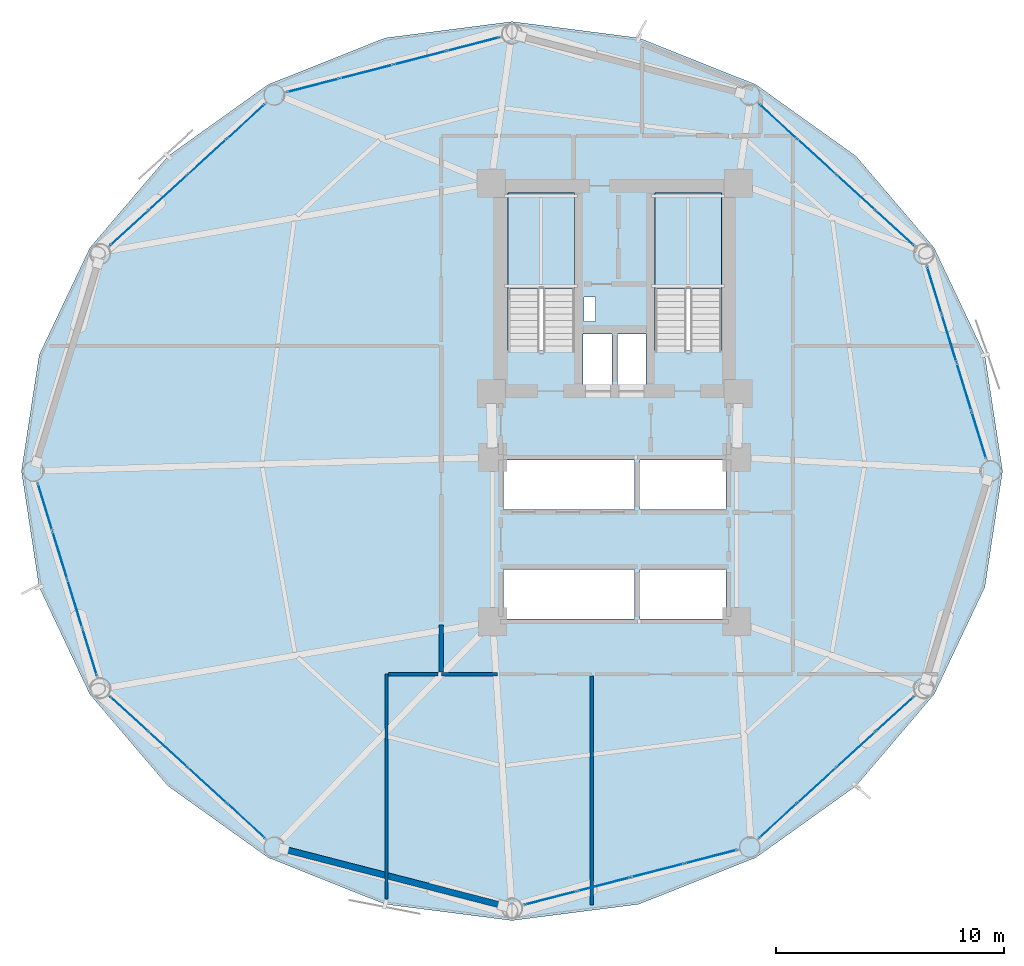
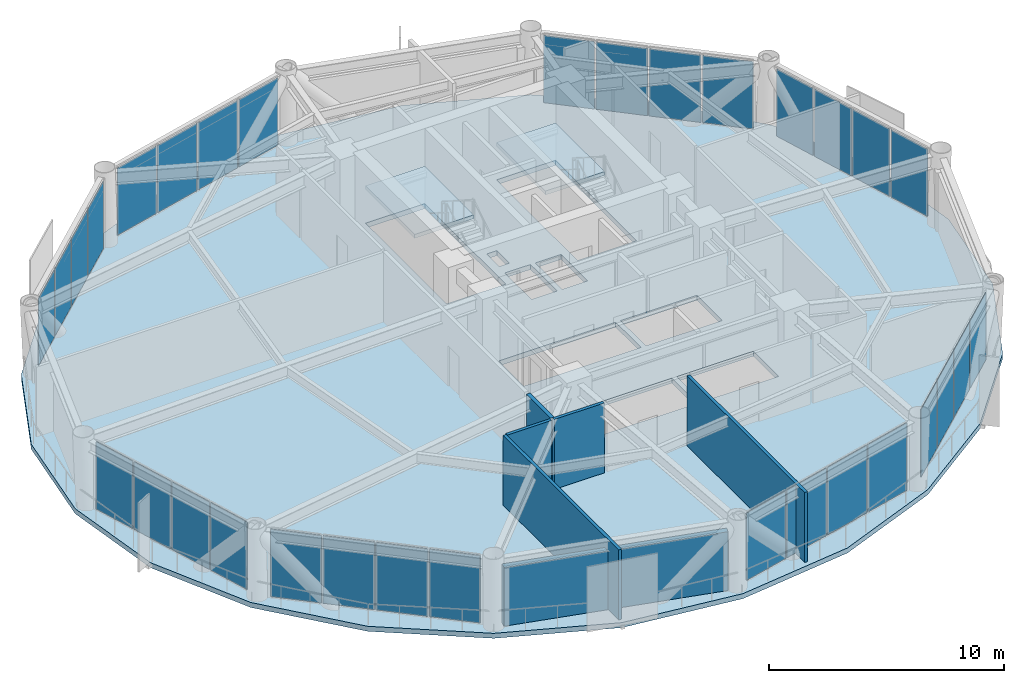
# One storey, part 21 of 26: 32 plates, 6 walls, 3 slabs, 10 elements without a shape of their own.
"""IFC4 building model written with IfcOpenShell, lengths in metres."""

from ifc_helpers import new_model, si_unit, direction, frame, frame_2d, origin, origin_2d, place, context, subcontext, project, spatial, polyline, rectangle, outline, extrude, source, transform, mapped, material, layer, layer_set, type_object, type_shapes, element, aggregate, save


model = new_model("IFC4")

# Units and contexts
model_context = context("Model", 3, precision=1e-05, world=origin(), true_north=direction((0.0, 1.0)))
body_context = subcontext(model_context, "Body", "Model", "MODEL_VIEW")
ifc_project = project(units=[si_unit("LENGTHUNIT", "METRE"), si_unit("AREAUNIT", "SQUARE_METRE"), si_unit("VOLUMEUNIT", "CUBIC_METRE"), si_unit("PLANEANGLEUNIT", "RADIAN"), si_unit("MASSUNIT", "GRAM", prefix="KILO")], contexts=[model_context])

# Site, building, storey
site_placement = place(None, origin())
site = spatial("IfcSite", under=ifc_project, at=site_placement, CompositionType="ELEMENT")
building_placement = place(site_placement, origin())
building = spatial("IfcBuilding", under=site, at=building_placement, Name="Varnakorn Sky Granary", CompositionType="ELEMENT")
storey_placement = place(building_placement, frame((0.0, 0.0, 47.10009765625)))
storey = spatial("IfcBuildingStorey", under=building, at=storey_placement, Name="L11", CompositionType="ELEMENT", Elevation=47.10009765625)

# Stair, slab
ifc_material_1 = material(Name="Concrete C40/50", Category="concrete")
stair_type = type_object("IfcStairType", Name="ST-MAIN-ASSEMBLY", PredefinedType="HALF_TURN_STAIR", material=ifc_material_1)
stair_1_placement = place(storey_placement, origin())
stair_1 = element("IfcStair", 1, at=stair_1_placement, inside=storey, type_object=stair_type, Name="L11 Protected Exit Stair ST-1", PredefinedType="HALF_TURN_STAIR")
ifc_layer_1 = layer(ifc_material_1, 0.199951171875, Name="Concrete C40/50")
ifc_layer_set_1 = layer_set([ifc_layer_1], Name="Concrete C40/50")
slab_type_1 = type_object("IfcSlabType", Name="ST-MAIN-LAND", PredefinedType="LANDING", material=ifc_layer_set_1)
slab_1_placement = place(storey_placement, frame((0.0, 0.0, 1.75)))
slab_1 = element("IfcSlab", 2, at=slab_1_placement, type_object=slab_type_1, Name="ST-1 landing 1", PredefinedType="LANDING", context=body_context, shape_type="SweptSolid", body=[
    extrude(outline(polyline([(1.239990234375, 8.0), (1.239990234375, 12.179931640625), (-1.669921875, 12.179931640625), (-1.669921875, 8.0), (1.239990234375, 8.0)])), origin(), (0.0, 0.0, 1.0), 0.199951171875),
])
aggregate(stair_1, [slab_1])

stair_2_placement = place(storey_placement, origin())
stair_2 = element("IfcStair", 3, at=stair_2_placement, inside=storey, type_object=stair_type, Name="L11 Protected Exit Stair ST-2", PredefinedType="HALF_TURN_STAIR")
slab_2_placement = place(storey_placement, frame((0.0, 0.0, 1.75)))
slab_2 = element("IfcSlab", 4, at=slab_2_placement, type_object=slab_type_1, Name="ST-2 landing 1", PredefinedType="LANDING", context=body_context, shape_type="SweptSolid", body=[
    extrude(outline(polyline([(7.679931640625, 8.0), (7.679931640625, 12.179931640625), (4.77001953125, 12.179931640625), (4.77001953125, 8.0), (7.679931640625, 8.0)])), origin(), (0.0, 0.0, 1.0), 0.199951171875),
])
aggregate(stair_2, [slab_2])

# Slab
ifc_material_2 = material(Name="Concrete C50/60", Category="concrete")
ifc_layer_2 = layer(ifc_material_2, 0.260009765625, Name="Concrete C50/60")
ifc_layer_set_2 = layer_set([ifc_layer_2], Name="Concrete C50/60")
slab_type_2 = type_object("IfcSlabType", Name="ST-SL-TWR-260", PredefinedType="FLOOR", material=ifc_layer_set_2)
slab_3_placement = place(storey_placement, frame((0.0, 0.0, -0.260009765625)))
element("IfcSlab", 5, at=slab_3_placement, inside=storey, type_object=slab_type_2, Name="Level L11 Structural Floor Slab", PredefinedType="FLOOR", context=body_context, shape_type="SweptSolid", body=[
    extrude(outline(polyline([(20.0, 0.0), (19.223876953125, 5.087158203125), (17.002685546875, 9.782470703125), (13.575439453125, 13.802734375), (9.1826171875, 16.94384765625), (4.052978515625, 18.9853515625), (-1.5, 19.699951171875), (-7.052978515625, 18.9853515625), (-12.1826171875, 16.94384765625), (-16.575439453125, 13.802734375), (-20.002685546875, 9.782470703125), (-22.223876953125, 5.087158203125), (-23.0, 0.0), (-22.223876953125, -5.087158203125), (-20.002685546875, -9.782470703125), (-16.575439453125, -13.802734375), (-12.1826171875, -16.94384765625), (-7.052978515625, -18.9853515625), (-1.5, -19.699951171875), (4.052978515625, -18.9853515625), (9.1826171875, -16.94384765625), (13.575439453125, -13.802734375), (17.002685546875, -9.782470703125), (19.223876953125, -5.087158203125), (20.0, 0.0)]), holes=[polyline([(1.239990234375, 5.27490234375), (1.239990234375, 12.179931640625), (-1.669921875, 12.179931640625), (-1.669921875, 5.27490234375), (1.239990234375, 5.27490234375)]), polyline([(7.679931640625, 5.27490234375), (7.679931640625, 12.179931640625), (4.77001953125, 12.179931640625), (4.77001953125, 5.27490234375), (7.679931640625, 5.27490234375)]), polyline([(1.659912109375, 6.550048828125), (2.14990234375, 6.550048828125), (2.14990234375, 7.6201171875), (1.659912109375, 7.6201171875), (1.659912109375, 6.550048828125)]), polyline([(1.6201171875, 3.739990234375), (2.8798828125, 3.739990234375), (2.8798828125, 6.010009765625), (1.6201171875, 6.010009765625), (1.6201171875, 3.739990234375)]), polyline([(3.1201171875, 3.739990234375), (4.3798828125, 3.739990234375), (4.3798828125, 6.010009765625), (3.1201171875, 6.010009765625), (3.1201171875, 3.739990234375)]), polyline([(-1.8798828125, -1.679931640625), (3.8798828125, -1.679931640625), (3.8798828125, 0.47998046875), (-1.8798828125, 0.47998046875), (-1.8798828125, -1.679931640625)]), polyline([(4.1201171875, -1.679931640625), (7.8798828125, -1.679931640625), (7.8798828125, 0.47998046875), (4.1201171875, 0.47998046875), (4.1201171875, -1.679931640625)]), polyline([(-1.8798828125, -6.47998046875), (3.8798828125, -6.47998046875), (3.8798828125, -4.320068359375), (-1.8798828125, -4.320068359375), (-1.8798828125, -6.47998046875)]), polyline([(4.1201171875, -6.47998046875), (7.8798828125, -6.47998046875), (7.8798828125, -4.320068359375), (4.1201171875, -4.320068359375), (4.1201171875, -6.47998046875)])]), origin(), (0.0, 0.0, 1.0), 0.260009765625),
])

# Curtain wall, plates
ifc_material_3 = material(Name="Anodised Bronze Aluminium Alloy 6063-T6", Category="aluminium")
ifc_layer_3 = layer(ifc_material_3, 0.18994140625, Name="Anodised Bronze Aluminium Alloy 6063-T6")
ifc_layer_set_3 = layer_set([ifc_layer_3], Name="Anodised Bronze Aluminium Alloy 6063-T6")
curtain_wall_type = type_object("IfcCurtainWallType", Name="CW-FRM-1", PredefinedType="USERDEFINED", material=ifc_layer_set_3)
curtain_wall_1_placement = place(storey_placement, origin())
curtain_wall_1 = element("IfcCurtainWall", 6, at=curtain_wall_1_placement, inside=storey, type_object=curtain_wall_type, Name="Unitised Curtain Wall CW3 CW-L11-B01", ObjectType="CURTAIN WALL", PredefinedType="USERDEFINED")
ifc_material_4 = material(Name="Opaque Insulated Aluminium Shadow-Box Unit", Category="aluminium")
ifc_layer_4 = layer(ifc_material_4, 0.028076171875, Name="Opaque Insulated Aluminium Shadow-Box Unit")
ifc_layer_set_4 = layer_set([ifc_layer_4], Name="Opaque Insulated Aluminium Shadow-Box Unit")
plate_type = type_object("IfcPlateType", Name="CW-FRM-1-PNL", PredefinedType="CURTAIN_PANEL")
shared_shape_1 = source(origin(), body_context, "Body", "SweptSolid", [
    extrude(rectangle(XDim=2.123291015625, YDim=0.028076171875, at=origin_2d()), origin(), (0.0, 0.0, 1.0), 3.5),
])
plate_1_placement = place(storey_placement, frame((17.010986328125, 7.931640625, 0.06982421875), z_axis=(0.0, 0.0, 1.0), x_axis=(0.293925795403, -0.955828241263, 0.0)))
plate_1 = element("IfcPlate", 7, at=plate_1_placement, type_object=plate_type, material=ifc_layer_set_4, Name="CW3 opaque insulated shadow-box unit 1.1", PredefinedType="CURTAIN_PANEL", context=body_context, shape_type="MappedRepresentation", body=[
    mapped(shared_shape_1, transform((0.0, 0.0, 0.0), x_axis=(1.0, 0.0, 0.0), y_axis=(0.0, 1.0, 0.0), z_axis=(0.0, 0.0, 1.0), scale=1.0)),
])
ifc_material_5 = material(Name="Low-E Tinted Laminated Glass", Category="glass")
ifc_layer_5 = layer(ifc_material_5, 0.028076171875, Name="Low-E Tinted Laminated Glass")
ifc_layer_set_5 = layer_set([ifc_layer_5], Name="Low-E Tinted Laminated Glass")
plate_2_placement = place(storey_placement, frame((18.96533203125, 1.575927734375, 0.06982421875), z_axis=(0.0, 0.0, 1.0), x_axis=(0.293925795403, -0.955828241263, 0.0)))
plate_2 = element("IfcPlate", 8, at=plate_2_placement, type_object=plate_type, material=ifc_layer_set_5, Name="CW3 vision glazing unit 4.1", PredefinedType="CURTAIN_PANEL", context=body_context, shape_type="MappedRepresentation", body=[
    mapped(shared_shape_1, transform((0.0, 0.0, 0.0), x_axis=(1.0, 0.0, 0.0), y_axis=(0.0, 1.0, 0.0), z_axis=(0.0, 0.0, 1.0), scale=1.0)),
])

curtain_wall_2_placement = place(storey_placement, origin())
curtain_wall_2 = element("IfcCurtainWall", 9, at=curtain_wall_2_placement, inside=storey, type_object=curtain_wall_type, Name="Unitised Curtain Wall CW3 CW-L11-B07", ObjectType="CURTAIN WALL", PredefinedType="USERDEFINED")
plate_3_placement = place(storey_placement, frame((-20.010986328125, -7.931640625, 0.06982421875), z_axis=(0.0, 0.0, 1.0), x_axis=(-0.293925795403, 0.955828241263, 0.0)))
plate_3 = element("IfcPlate", 10, at=plate_3_placement, type_object=plate_type, material=ifc_layer_set_4, Name="CW3 opaque insulated shadow-box unit 1.1", PredefinedType="CURTAIN_PANEL", context=body_context, shape_type="MappedRepresentation", body=[
    mapped(shared_shape_1, transform((0.0, 0.0, 0.0), x_axis=(1.0, 0.0, 0.0), y_axis=(0.0, 1.0, 0.0), z_axis=(0.0, 0.0, 1.0), scale=1.0)),
])
plate_4_placement = place(storey_placement, frame((-21.96533203125, -1.575927734375, 0.06982421875), z_axis=(0.0, 0.0, 1.0), x_axis=(-0.293925795403, 0.955828241263, 0.0)))
plate_4 = element("IfcPlate", 11, at=plate_4_placement, type_object=plate_type, material=ifc_layer_set_5, Name="CW3 vision glazing unit 4.1", PredefinedType="CURTAIN_PANEL", context=body_context, shape_type="MappedRepresentation", body=[
    mapped(shared_shape_1, transform((0.0, 0.0, 0.0), x_axis=(1.0, 0.0, 0.0), y_axis=(0.0, 1.0, 0.0), z_axis=(0.0, 0.0, 1.0), scale=1.0)),
])

# Plate
shared_shape_2 = source(origin(), body_context, "Body", "SweptSolid", [
    extrude(rectangle(XDim=2.158203125, YDim=0.028076171875, at=origin_2d()), origin(), (0.0, 0.0, 1.0), 3.5),
])
plate_5_placement = place(storey_placement, frame((17.66064453125, 5.818603515625, 0.06982421875), z_axis=(0.0, 0.0, 1.0), x_axis=(0.293925795403, -0.955828241263, 0.0)))
plate_5 = element("IfcPlate", 12, at=plate_5_placement, type_object=plate_type, material=ifc_layer_set_4, Name="CW3 opaque insulated shadow-box unit 2.1", PredefinedType="CURTAIN_PANEL", context=body_context, shape_type="MappedRepresentation", body=[
    mapped(shared_shape_2, transform((0.0, 0.0, 0.0), x_axis=(1.0, 0.0, 0.0), y_axis=(0.0, 1.0, 0.0), z_axis=(0.0, 0.0, 1.0), scale=1.0)),
])

plate_6_placement = place(storey_placement, frame((18.315673828125, 3.68896484375, 0.06982421875), z_axis=(0.0, 0.0, 1.0), x_axis=(0.293925795403, -0.955828241263, 0.0)))
plate_6 = element("IfcPlate", 13, at=plate_6_placement, type_object=plate_type, material=ifc_layer_set_5, Name="CW3 vision glazing unit 3.1", PredefinedType="CURTAIN_PANEL", context=body_context, shape_type="MappedRepresentation", body=[
    mapped(shared_shape_2, transform((0.0, 0.0, 0.0), x_axis=(1.0, 0.0, 0.0), y_axis=(0.0, 1.0, 0.0), z_axis=(0.0, 0.0, 1.0), scale=1.0)),
])

aggregate(curtain_wall_1, [plate_1, plate_5, plate_6, plate_2])

plate_7_placement = place(storey_placement, frame((-20.66064453125, -5.818603515625, 0.06982421875), z_axis=(0.0, 0.0, 1.0), x_axis=(-0.293925795403, 0.955828241263, 0.0)))
plate_7 = element("IfcPlate", 14, at=plate_7_placement, type_object=plate_type, material=ifc_layer_set_4, Name="CW3 opaque insulated shadow-box unit 2.1", PredefinedType="CURTAIN_PANEL", context=body_context, shape_type="MappedRepresentation", body=[
    mapped(shared_shape_2, transform((0.0, 0.0, 0.0), x_axis=(1.0, 0.0, 0.0), y_axis=(0.0, 1.0, 0.0), z_axis=(0.0, 0.0, 1.0), scale=1.0)),
])

plate_8_placement = place(storey_placement, frame((-21.315673828125, -3.68896484375, 0.06982421875), z_axis=(0.0, 0.0, 1.0), x_axis=(-0.293925795403, 0.955828241263, 0.0)))
plate_8 = element("IfcPlate", 15, at=plate_8_placement, type_object=plate_type, material=ifc_layer_set_5, Name="CW3 vision glazing unit 3.1", PredefinedType="CURTAIN_PANEL", context=body_context, shape_type="MappedRepresentation", body=[
    mapped(shared_shape_2, transform((0.0, 0.0, 0.0), x_axis=(1.0, 0.0, 0.0), y_axis=(0.0, 1.0, 0.0), z_axis=(0.0, 0.0, 1.0), scale=1.0)),
])

aggregate(curtain_wall_2, [plate_3, plate_7, plate_8, plate_4])

# Curtain wall, plates
curtain_wall_3_placement = place(storey_placement, origin())
curtain_wall_3 = element("IfcCurtainWall", 16, at=curtain_wall_3_placement, inside=storey, type_object=curtain_wall_type, Name="Unitised Curtain Wall CW3 CW-L11-B02", ObjectType="CURTAIN WALL", PredefinedType="USERDEFINED")
shared_shape_3 = source(origin(), body_context, "Body", "SweptSolid", [
    extrude(rectangle(XDim=2.21630859375, YDim=0.028076171875, at=origin_2d()), origin(), (0.0, 0.0, 1.0), 3.5),
])
plate_9_placement = place(storey_placement, frame((10.158935546875, 15.32421875, 0.06982421875), z_axis=(0.0, 0.0, 1.0), x_axis=(0.738307334777, -0.674464438954, 0.0)))
plate_9 = element("IfcPlate", 17, at=plate_9_placement, type_object=plate_type, material=ifc_layer_set_5, Name="CW3 vision glazing unit 1.1", PredefinedType="CURTAIN_PANEL", context=body_context, shape_type="MappedRepresentation", body=[
    mapped(shared_shape_3, transform((0.0, 0.0, 0.0), x_axis=(1.0, 0.0, 0.0), y_axis=(0.0, 1.0, 0.0), z_axis=(0.0, 0.0, 1.0), scale=1.0)),
])
plate_10_placement = place(storey_placement, frame((15.274658203125, 10.65087890625, 0.06982421875), z_axis=(0.0, 0.0, 1.0), x_axis=(0.738307334777, -0.674464438954, 0.0)))
plate_10 = element("IfcPlate", 18, at=plate_10_placement, type_object=plate_type, material=ifc_layer_set_4, Name="CW3 opaque insulated shadow-box unit 4.1", PredefinedType="CURTAIN_PANEL", context=body_context, shape_type="MappedRepresentation", body=[
    mapped(shared_shape_3, transform((0.0, 0.0, 0.0), x_axis=(1.0, 0.0, 0.0), y_axis=(0.0, 1.0, 0.0), z_axis=(0.0, 0.0, 1.0), scale=1.0)),
])

curtain_wall_4_placement = place(storey_placement, origin())
curtain_wall_4 = element("IfcCurtainWall", 19, at=curtain_wall_4_placement, inside=storey, type_object=curtain_wall_type, Name="Unitised Curtain Wall CW3 CW-L11-B05", ObjectType="CURTAIN WALL", PredefinedType="USERDEFINED")
plate_11_placement = place(storey_placement, frame((-18.274658203125, 10.65087890625, 0.06982421875), z_axis=(0.0, 0.0, 1.0), x_axis=(0.738307334777, 0.674464438954, 0.0)))
plate_11 = element("IfcPlate", 20, at=plate_11_placement, type_object=plate_type, material=ifc_layer_set_4, Name="CW3 opaque insulated shadow-box unit 1.1", PredefinedType="CURTAIN_PANEL", context=body_context, shape_type="MappedRepresentation", body=[
    mapped(shared_shape_3, transform((0.0, 0.0, 0.0), x_axis=(1.0, 0.0, 0.0), y_axis=(0.0, 1.0, 0.0), z_axis=(0.0, 0.0, 1.0), scale=1.0)),
])
plate_12_placement = place(storey_placement, frame((-13.158935546875, 15.32421875, 0.06982421875), z_axis=(0.0, 0.0, 1.0), x_axis=(0.738307334777, 0.674464438954, 0.0)))
plate_12 = element("IfcPlate", 21, at=plate_12_placement, type_object=plate_type, material=ifc_layer_set_5, Name="CW3 vision glazing unit 4.1", PredefinedType="CURTAIN_PANEL", context=body_context, shape_type="MappedRepresentation", body=[
    mapped(shared_shape_3, transform((0.0, 0.0, 0.0), x_axis=(1.0, 0.0, 0.0), y_axis=(0.0, 1.0, 0.0), z_axis=(0.0, 0.0, 1.0), scale=1.0)),
])

curtain_wall_5_placement = place(storey_placement, origin())
curtain_wall_5 = element("IfcCurtainWall", 22, at=curtain_wall_5_placement, inside=storey, type_object=curtain_wall_type, Name="Unitised Curtain Wall CW3 CW-L11-B08", ObjectType="CURTAIN WALL", PredefinedType="USERDEFINED")
plate_13_placement = place(storey_placement, frame((-13.158935546875, -15.32421875, 0.06982421875), z_axis=(0.0, 0.0, 1.0), x_axis=(-0.738307334777, 0.674464438954, 0.0)))
plate_13 = element("IfcPlate", 23, at=plate_13_placement, type_object=plate_type, material=ifc_layer_set_5, Name="CW3 vision glazing unit 1.1", PredefinedType="CURTAIN_PANEL", context=body_context, shape_type="MappedRepresentation", body=[
    mapped(shared_shape_3, transform((0.0, 0.0, 0.0), x_axis=(1.0, 0.0, 0.0), y_axis=(0.0, 1.0, 0.0), z_axis=(0.0, 0.0, 1.0), scale=1.0)),
])
plate_14_placement = place(storey_placement, frame((-18.274658203125, -10.65087890625, 0.06982421875), z_axis=(0.0, 0.0, 1.0), x_axis=(-0.738307334777, 0.674464438954, 0.0)))
plate_14 = element("IfcPlate", 24, at=plate_14_placement, type_object=plate_type, material=ifc_layer_set_4, Name="CW3 opaque insulated shadow-box unit 4.1", PredefinedType="CURTAIN_PANEL", context=body_context, shape_type="MappedRepresentation", body=[
    mapped(shared_shape_3, transform((0.0, 0.0, 0.0), x_axis=(1.0, 0.0, 0.0), y_axis=(0.0, 1.0, 0.0), z_axis=(0.0, 0.0, 1.0), scale=1.0)),
])

curtain_wall_6_placement = place(storey_placement, origin())
curtain_wall_6 = element("IfcCurtainWall", 25, at=curtain_wall_6_placement, inside=storey, type_object=curtain_wall_type, Name="Unitised Curtain Wall CW3 CW-L11-B11", ObjectType="CURTAIN WALL", PredefinedType="USERDEFINED")
plate_15_placement = place(storey_placement, frame((15.274658203125, -10.65087890625, 0.06982421875), z_axis=(0.0, 0.0, 1.0), x_axis=(-0.738307334777, -0.674464438954, 0.0)))
plate_15 = element("IfcPlate", 26, at=plate_15_placement, type_object=plate_type, material=ifc_layer_set_4, Name="CW3 opaque insulated shadow-box unit 1.1", PredefinedType="CURTAIN_PANEL", context=body_context, shape_type="MappedRepresentation", body=[
    mapped(shared_shape_3, transform((0.0, 0.0, 0.0), x_axis=(1.0, 0.0, 0.0), y_axis=(0.0, 1.0, 0.0), z_axis=(0.0, 0.0, 1.0), scale=1.0)),
])
plate_16_placement = place(storey_placement, frame((10.158935546875, -15.32421875, 0.06982421875), z_axis=(0.0, 0.0, 1.0), x_axis=(-0.738307334777, -0.674464438954, 0.0)))
plate_16 = element("IfcPlate", 27, at=plate_16_placement, type_object=plate_type, material=ifc_layer_set_5, Name="CW3 vision glazing unit 4.1", PredefinedType="CURTAIN_PANEL", context=body_context, shape_type="MappedRepresentation", body=[
    mapped(shared_shape_3, transform((0.0, 0.0, 0.0), x_axis=(1.0, 0.0, 0.0), y_axis=(0.0, 1.0, 0.0), z_axis=(0.0, 0.0, 1.0), scale=1.0)),
])

# Plate
shared_shape_4 = source(origin(), body_context, "Body", "SweptSolid", [
    extrude(rectangle(XDim=2.251220703125, YDim=0.028076171875, at=origin_2d()), origin(), (0.0, 0.0, 1.0), 3.5),
])
plate_17_placement = place(storey_placement, frame((11.85986328125, 13.770263671875, 0.06982421875), z_axis=(0.0, 0.0, 1.0), x_axis=(0.738307334777, -0.674464438954, 0.0)))
plate_17 = element("IfcPlate", 28, at=plate_17_placement, type_object=plate_type, material=ifc_layer_set_5, Name="CW3 vision glazing unit 2.1", PredefinedType="CURTAIN_PANEL", context=body_context, shape_type="MappedRepresentation", body=[
    mapped(shared_shape_4, transform((0.0, 0.0, 0.0), x_axis=(1.0, 0.0, 0.0), y_axis=(0.0, 1.0, 0.0), z_axis=(0.0, 0.0, 1.0), scale=1.0)),
])

plate_18_placement = place(storey_placement, frame((13.57373046875, 12.20458984375, 0.06982421875), z_axis=(0.0, 0.0, 1.0), x_axis=(0.738307334777, -0.674464438954, 0.0)))
plate_18 = element("IfcPlate", 29, at=plate_18_placement, type_object=plate_type, material=ifc_layer_set_4, Name="CW3 opaque insulated shadow-box unit 3.1", PredefinedType="CURTAIN_PANEL", context=body_context, shape_type="MappedRepresentation", body=[
    mapped(shared_shape_4, transform((0.0, 0.0, 0.0), x_axis=(1.0, 0.0, 0.0), y_axis=(0.0, 1.0, 0.0), z_axis=(0.0, 0.0, 1.0), scale=1.0)),
])

aggregate(curtain_wall_3, [plate_9, plate_17, plate_18, plate_10])

plate_19_placement = place(storey_placement, frame((-16.57373046875, 12.20458984375, 0.06982421875), z_axis=(0.0, 0.0, 1.0), x_axis=(0.738307334777, 0.674464438954, 0.0)))
plate_19 = element("IfcPlate", 30, at=plate_19_placement, type_object=plate_type, material=ifc_layer_set_4, Name="CW3 opaque insulated shadow-box unit 2.1", PredefinedType="CURTAIN_PANEL", context=body_context, shape_type="MappedRepresentation", body=[
    mapped(shared_shape_4, transform((0.0, 0.0, 0.0), x_axis=(1.0, 0.0, 0.0), y_axis=(0.0, 1.0, 0.0), z_axis=(0.0, 0.0, 1.0), scale=1.0)),
])

plate_20_placement = place(storey_placement, frame((-14.85986328125, 13.770263671875, 0.06982421875), z_axis=(0.0, 0.0, 1.0), x_axis=(0.738307334777, 0.674464438954, 0.0)))
plate_20 = element("IfcPlate", 31, at=plate_20_placement, type_object=plate_type, material=ifc_layer_set_5, Name="CW3 vision glazing unit 3.1", PredefinedType="CURTAIN_PANEL", context=body_context, shape_type="MappedRepresentation", body=[
    mapped(shared_shape_4, transform((0.0, 0.0, 0.0), x_axis=(1.0, 0.0, 0.0), y_axis=(0.0, 1.0, 0.0), z_axis=(0.0, 0.0, 1.0), scale=1.0)),
])

aggregate(curtain_wall_4, [plate_11, plate_19, plate_20, plate_12])

plate_21_placement = place(storey_placement, frame((-14.85986328125, -13.770263671875, 0.06982421875), z_axis=(0.0, 0.0, 1.0), x_axis=(-0.738307334777, 0.674464438954, 0.0)))
plate_21 = element("IfcPlate", 32, at=plate_21_placement, type_object=plate_type, material=ifc_layer_set_5, Name="CW3 vision glazing unit 2.1", PredefinedType="CURTAIN_PANEL", context=body_context, shape_type="MappedRepresentation", body=[
    mapped(shared_shape_4, transform((0.0, 0.0, 0.0), x_axis=(1.0, 0.0, 0.0), y_axis=(0.0, 1.0, 0.0), z_axis=(0.0, 0.0, 1.0), scale=1.0)),
])

plate_22_placement = place(storey_placement, frame((-16.57373046875, -12.20458984375, 0.06982421875), z_axis=(0.0, 0.0, 1.0), x_axis=(-0.738307334777, 0.674464438954, 0.0)))
plate_22 = element("IfcPlate", 33, at=plate_22_placement, type_object=plate_type, material=ifc_layer_set_4, Name="CW3 opaque insulated shadow-box unit 3.1", PredefinedType="CURTAIN_PANEL", context=body_context, shape_type="MappedRepresentation", body=[
    mapped(shared_shape_4, transform((0.0, 0.0, 0.0), x_axis=(1.0, 0.0, 0.0), y_axis=(0.0, 1.0, 0.0), z_axis=(0.0, 0.0, 1.0), scale=1.0)),
])

aggregate(curtain_wall_5, [plate_13, plate_21, plate_22, plate_14])

plate_23_placement = place(storey_placement, frame((13.57373046875, -12.20458984375, 0.06982421875), z_axis=(0.0, 0.0, 1.0), x_axis=(-0.738307334777, -0.674464438954, 0.0)))
plate_23 = element("IfcPlate", 34, at=plate_23_placement, type_object=plate_type, material=ifc_layer_set_4, Name="CW3 opaque insulated shadow-box unit 2.1", PredefinedType="CURTAIN_PANEL", context=body_context, shape_type="MappedRepresentation", body=[
    mapped(shared_shape_4, transform((0.0, 0.0, 0.0), x_axis=(1.0, 0.0, 0.0), y_axis=(0.0, 1.0, 0.0), z_axis=(0.0, 0.0, 1.0), scale=1.0)),
])

plate_24_placement = place(storey_placement, frame((11.85986328125, -13.770263671875, 0.06982421875), z_axis=(0.0, 0.0, 1.0), x_axis=(-0.738307334777, -0.674464438954, 0.0)))
plate_24 = element("IfcPlate", 35, at=plate_24_placement, type_object=plate_type, material=ifc_layer_set_5, Name="CW3 vision glazing unit 3.1", PredefinedType="CURTAIN_PANEL", context=body_context, shape_type="MappedRepresentation", body=[
    mapped(shared_shape_4, transform((0.0, 0.0, 0.0), x_axis=(1.0, 0.0, 0.0), y_axis=(0.0, 1.0, 0.0), z_axis=(0.0, 0.0, 1.0), scale=1.0)),
])

aggregate(curtain_wall_6, [plate_15, plate_23, plate_24, plate_16])

# Curtain wall, plates
curtain_wall_7_placement = place(storey_placement, origin())
curtain_wall_7 = element("IfcCurtainWall", 36, at=curtain_wall_7_placement, inside=storey, type_object=curtain_wall_type, Name="Unitised Curtain Wall CW3 CW-L11-B04", ObjectType="CURTAIN WALL", PredefinedType="USERDEFINED")
shared_shape_5 = source(origin(), body_context, "Body", "SweptSolid", [
    extrude(rectangle(XDim=2.323486328125, YDim=0.028076171875, at=origin_2d()), origin(), (0.0, 0.0, 1.0), 3.5),
])
plate_25_placement = place(storey_placement, frame((-10.214111328125, 16.90380859375, 0.06982421875), z_axis=(0.0, 0.0, 1.0), x_axis=(0.968350319475, 0.24959498948, 0.0)))
plate_25 = element("IfcPlate", 37, at=plate_25_placement, type_object=plate_type, material=ifc_layer_set_5, Name="CW3 vision glazing unit 1.1", PredefinedType="CURTAIN_PANEL", context=body_context, shape_type="MappedRepresentation", body=[
    mapped(shared_shape_5, transform((0.0, 0.0, 0.0), x_axis=(1.0, 0.0, 0.0), y_axis=(0.0, 1.0, 0.0), z_axis=(0.0, 0.0, 1.0), scale=1.0)),
])
plate_26_placement = place(storey_placement, frame((-3.193359375, 18.713623046875, 0.06982421875), z_axis=(0.0, 0.0, 1.0), x_axis=(0.968350319475, 0.24959498948, 0.0)))
plate_26 = element("IfcPlate", 38, at=plate_26_placement, type_object=plate_type, material=ifc_layer_set_4, Name="CW3 opaque insulated shadow-box unit 4.1", PredefinedType="CURTAIN_PANEL", context=body_context, shape_type="MappedRepresentation", body=[
    mapped(shared_shape_5, transform((0.0, 0.0, 0.0), x_axis=(1.0, 0.0, 0.0), y_axis=(0.0, 1.0, 0.0), z_axis=(0.0, 0.0, 1.0), scale=1.0)),
])

curtain_wall_8_placement = place(storey_placement, origin())
curtain_wall_8 = element("IfcCurtainWall", 39, at=curtain_wall_8_placement, inside=storey, type_object=curtain_wall_type, Name="Unitised Curtain Wall CW3 CW-L11-B10", ObjectType="CURTAIN WALL", PredefinedType="USERDEFINED")
plate_27_placement = place(storey_placement, frame((7.214111328125, -16.90380859375, 0.06982421875), z_axis=(0.0, 0.0, 1.0), x_axis=(-0.968350319475, -0.24959498948, 0.0)))
plate_27 = element("IfcPlate", 40, at=plate_27_placement, type_object=plate_type, material=ifc_layer_set_5, Name="CW3 vision glazing unit 1.1", PredefinedType="CURTAIN_PANEL", context=body_context, shape_type="MappedRepresentation", body=[
    mapped(shared_shape_5, transform((0.0, 0.0, 0.0), x_axis=(1.0, 0.0, 0.0), y_axis=(0.0, 1.0, 0.0), z_axis=(0.0, 0.0, 1.0), scale=1.0)),
])
plate_28_placement = place(storey_placement, frame((0.193359375, -18.713623046875, 0.06982421875), z_axis=(0.0, 0.0, 1.0), x_axis=(-0.968350319475, -0.24959498948, 0.0)))
plate_28 = element("IfcPlate", 41, at=plate_28_placement, type_object=plate_type, material=ifc_layer_set_4, Name="CW3 opaque insulated shadow-box unit 4.1", PredefinedType="CURTAIN_PANEL", context=body_context, shape_type="MappedRepresentation", body=[
    mapped(shared_shape_5, transform((0.0, 0.0, 0.0), x_axis=(1.0, 0.0, 0.0), y_axis=(0.0, 1.0, 0.0), z_axis=(0.0, 0.0, 1.0), scale=1.0)),
])

# Plate
shared_shape_6 = source(origin(), body_context, "Body", "SweptSolid", [
    extrude(rectangle(XDim=2.3583984375, YDim=0.028076171875, at=origin_2d()), origin(), (0.0, 0.0, 1.0), 3.5),
])
type_shapes(plate_type, [shared_shape_1, shared_shape_2, shared_shape_3, shared_shape_4, shared_shape_5, shared_shape_6])
plate_29_placement = place(storey_placement, frame((-7.879638671875, 17.505615234375, 0.06982421875), z_axis=(0.0, 0.0, 1.0), x_axis=(0.968350319475, 0.24959498948, 0.0)))
plate_29 = element("IfcPlate", 42, at=plate_29_placement, type_object=plate_type, material=ifc_layer_set_5, Name="CW3 vision glazing unit 2.1", PredefinedType="CURTAIN_PANEL", context=body_context, shape_type="MappedRepresentation", body=[
    mapped(shared_shape_6, transform((0.0, 0.0, 0.0), x_axis=(1.0, 0.0, 0.0), y_axis=(0.0, 1.0, 0.0), z_axis=(0.0, 0.0, 1.0), scale=1.0)),
])

plate_30_placement = place(storey_placement, frame((-5.528076171875, 18.11181640625, 0.06982421875), z_axis=(0.0, 0.0, 1.0), x_axis=(0.968350319475, 0.24959498948, 0.0)))
plate_30 = element("IfcPlate", 43, at=plate_30_placement, type_object=plate_type, material=ifc_layer_set_4, Name="CW3 opaque insulated shadow-box unit 3.1", PredefinedType="CURTAIN_PANEL", context=body_context, shape_type="MappedRepresentation", body=[
    mapped(shared_shape_6, transform((0.0, 0.0, 0.0), x_axis=(1.0, 0.0, 0.0), y_axis=(0.0, 1.0, 0.0), z_axis=(0.0, 0.0, 1.0), scale=1.0)),
])

aggregate(curtain_wall_7, [plate_25, plate_29, plate_30, plate_26])

plate_31_placement = place(storey_placement, frame((4.879638671875, -17.505615234375, 0.06982421875), z_axis=(0.0, 0.0, 1.0), x_axis=(-0.968350319475, -0.24959498948, 0.0)))
plate_31 = element("IfcPlate", 44, at=plate_31_placement, type_object=plate_type, material=ifc_layer_set_5, Name="CW3 vision glazing unit 2.1", PredefinedType="CURTAIN_PANEL", context=body_context, shape_type="MappedRepresentation", body=[
    mapped(shared_shape_6, transform((0.0, 0.0, 0.0), x_axis=(1.0, 0.0, 0.0), y_axis=(0.0, 1.0, 0.0), z_axis=(0.0, 0.0, 1.0), scale=1.0)),
])

plate_32_placement = place(storey_placement, frame((2.528076171875, -18.11181640625, 0.06982421875), z_axis=(0.0, 0.0, 1.0), x_axis=(-0.968350319475, -0.24959498948, 0.0)))
plate_32 = element("IfcPlate", 45, at=plate_32_placement, type_object=plate_type, material=ifc_layer_set_4, Name="CW3 opaque insulated shadow-box unit 3.1", PredefinedType="CURTAIN_PANEL", context=body_context, shape_type="MappedRepresentation", body=[
    mapped(shared_shape_6, transform((0.0, 0.0, 0.0), x_axis=(1.0, 0.0, 0.0), y_axis=(0.0, 1.0, 0.0), z_axis=(0.0, 0.0, 1.0), scale=1.0)),
])

aggregate(curtain_wall_8, [plate_27, plate_31, plate_32, plate_28])

# Walls
ifc_material_6 = material(Name="Precast concrete C40/50", Category="concrete")
ifc_layer_6 = layer(ifc_material_6, 0.280029296875, Name="Precast concrete C40/50")
ifc_layer_set_6 = layer_set([ifc_layer_6], Name="Precast concrete C40/50")
wall_type_1 = type_object("IfcWallType", Name="WT-EW-CRN-280", PredefinedType="SOLIDWALL", material=ifc_layer_set_6)
wall_1_placement = place(storey_placement, frame((-1.89892578125, -19.047119140625, 0.0), z_axis=(0.0, 0.0, 1.0), x_axis=(-0.968352741178, 0.249585593843, 0.0)))
element("IfcWall", 46, at=wall_1_placement, inside=storey, type_object=wall_type_1, Name="Agritech Insulated Precast Facade Wall L11-P09", PredefinedType="SOLIDWALL", context=body_context, shape_type="SweptSolid", body=[
    extrude(rectangle(XDim=9.923583984375, YDim=0.280029296875, at=frame_2d((4.9619140625, 0.0))), origin(), (0.0, 0.0, 1.0), 3.059814453125),
])
ifc_material_7 = material(Name="Gypsum Plasterboard on Steel Stud", Category="steel")
ifc_layer_7 = layer(ifc_material_7, 0.14990234375, Name="Gypsum Plasterboard on Steel Stud")
ifc_layer_set_7 = layer_set([ifc_layer_7], Name="Gypsum Plasterboard on Steel Stud")
wall_type_2 = type_object("IfcWallType", Name="WT-PART-150", PredefinedType="PARTITIONING", material=ifc_layer_set_7)
wall_2_placement = place(storey_placement, frame((-4.60009765625, -8.89990234375, 0.0), z_axis=(0.0, 0.0, 1.0), x_axis=(1.0, 0.0, 0.0)))
element("IfcWall", 47, at=wall_2_placement, inside=storey, type_object=wall_type_2, Name="Interior Partition Wall L11-033", PredefinedType="PARTITIONING", context=body_context, shape_type="SweptSolid", body=[
    extrude(rectangle(XDim=2.465087890625, YDim=0.14990234375, at=frame_2d((1.232421875, 0.0))), origin(), (0.0, 0.0, 1.0), 3.639892578125),
])
wall_3_placement = place(storey_placement, frame((2.0, -8.985107421875, 0.0), z_axis=(0.0, 0.0, 1.0), x_axis=(0.0, -1.0, 0.0)))
element("IfcWall", 48, at=wall_3_placement, inside=storey, type_object=wall_type_2, Name="Interior Partition Wall L11-034", PredefinedType="PARTITIONING", context=body_context, shape_type="SweptSolid", body=[
    extrude(rectangle(XDim=10.02490234375, YDim=0.14990234375, at=frame_2d((5.012451171875, 0.0))), origin(), (0.0, 0.0, 1.0), 3.639892578125),
])
wall_4_placement = place(storey_placement, frame((-7.0, -18.75, 0.0), z_axis=(0.0, 0.0, 1.0), x_axis=(0.0, 1.0, 0.0)))
element("IfcWall", 49, at=wall_4_placement, inside=storey, type_object=wall_type_2, Name="Interior Partition Wall L11-035", PredefinedType="PARTITIONING", context=body_context, shape_type="SweptSolid", body=[
    extrude(rectangle(XDim=9.85009765625, YDim=0.14990234375, at=frame_2d((4.925048828125, 0.0))), origin(), (0.0, 0.0, 1.0), 3.639892578125),
])
wall_5_placement = place(storey_placement, frame((-6.9150390625, -8.89990234375, 0.0), z_axis=(0.0, 0.0, 1.0), x_axis=(1.0, 0.0, 0.0)))
element("IfcWall", 50, at=wall_5_placement, inside=storey, type_object=wall_type_2, Name="Interior Partition Wall L11-036", PredefinedType="PARTITIONING", context=body_context, shape_type="SweptSolid", body=[
    extrude(rectangle(XDim=2.179931640625, YDim=0.14990234375, at=frame_2d((1.08984375, 0.0))), origin(), (0.0, 0.0, 1.0), 3.639892578125),
])
ifc_material_8 = material(Name="Moisture-Resistant Gypsum on Stud", Category="gypsum")
ifc_layer_8 = layer(ifc_material_8, 0.179931640625, Name="Moisture-Resistant Gypsum on Stud")
ifc_layer_set_8 = layer_set([ifc_layer_8], Name="Moisture-Resistant Gypsum on Stud")
wall_type_3 = type_object("IfcWallType", Name="WT-PLUMB-180", PredefinedType="PLUMBINGWALL", material=ifc_layer_set_8)
wall_6_placement = place(storey_placement, frame((-4.60009765625, -6.75, 0.0), z_axis=(0.0, 0.0, 1.0), x_axis=(0.0, -1.0, 0.0)))
element("IfcWall", 51, at=wall_6_placement, inside=storey, type_object=wall_type_3, Name="Interior Partition Wall L11-039", PredefinedType="PLUMBINGWALL", context=body_context, shape_type="SweptSolid", body=[
    extrude(rectangle(XDim=2.06494140625, YDim=0.179931640625, at=frame_2d((1.032470703125, 0.0))), origin(), (0.0, 0.0, 1.0), 3.639892578125),
])

save(model, "model.ifc")
